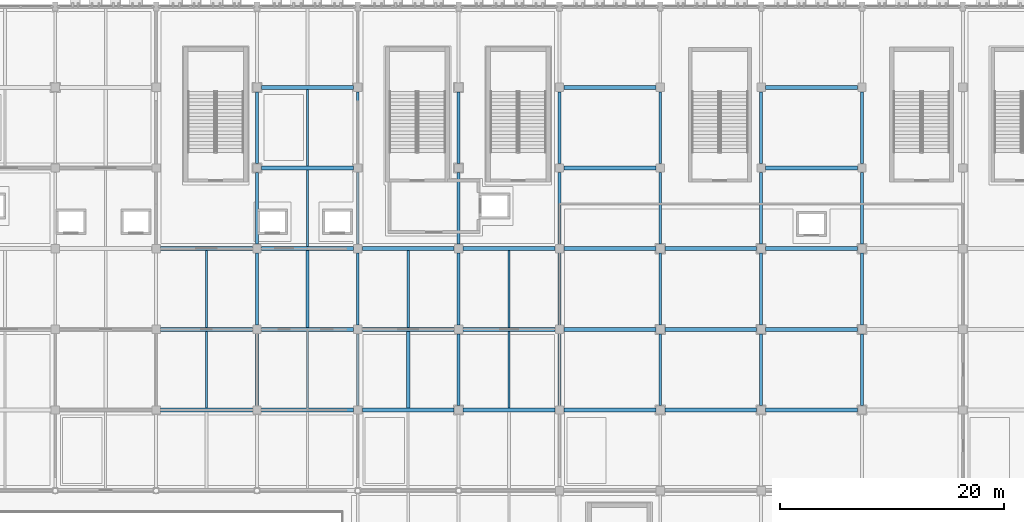
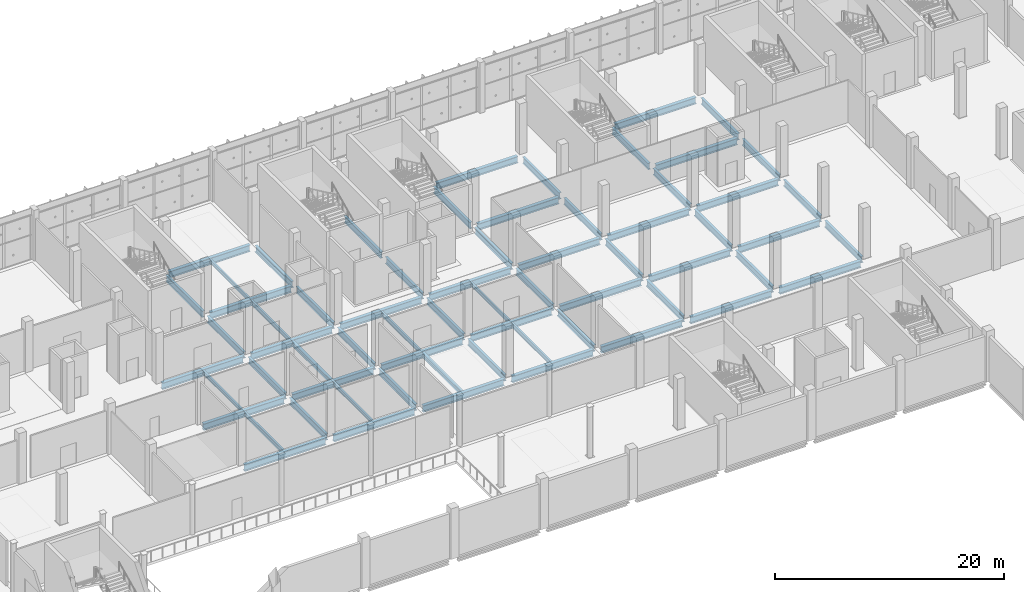
# One storey, part 96 of 189: 65 beams.
"""IFC4 building model written with IfcOpenShell, lengths in metres."""

import ifcopenshell
import ifcopenshell.guid

model = None  # the IFC model being written
_history = None  # IfcOwnerHistory: only IFC2X3 demands one
_inside = {}  # id of a spatial element -> (the spatial element, [elements in it])
_under = {}  # id of a project, library or spatial element -> (it, [spatial elements below it])
_declared = {}  # id of a project -> (the project, [libraries it declares])
_typed = {}  # id of a type object -> (the type object, [elements of that type])
_made_of = {}  # id of a material, layer set ... -> (it, [elements and type objects made of it])


def new_model(schema):
    """Start an empty IFC model of exactly this schema.

    Asked for "IFC4X3", IfcOpenShell would pick the latest addendum, in which some entities
    have other attributes; the version numbers below select the first issue.
    IFC2X3 requires an IfcOwnerHistory on every rooted entity: one is made here for all.
    """
    global model, _history
    if schema == "IFC4X3":
        model = ifcopenshell.file(schema_version=(4, 3, 0, 0))
    else:
        model = ifcopenshell.file(schema=schema)
    _inside.clear()
    _under.clear()
    _declared.clear()
    _typed.clear()
    _made_of.clear()
    _history = None
    if model.schema == "IFC2X3":
        org = make("IfcOrganization", Name="unknown")
        user = make(
            "IfcPersonAndOrganization",
            ThePerson=make("IfcPerson", FamilyName="unknown"),
            TheOrganization=org,
        )
        app = make(
            "IfcApplication",
            ApplicationDeveloper=org,
            Version="unknown",
            ApplicationFullName="unknown",
            ApplicationIdentifier="unknown",
        )
        _history = make(
            "IfcOwnerHistory",
            OwningUser=user,
            OwningApplication=app,
            ChangeAction="ADDED",
            CreationDate=0,
        )
    return model


def make(cls, **values):
    """One entity of the class cls with the attributes given. An attribute that is None is left unset."""
    return model.create_entity(
        cls, **{name: value for name, value in values.items() if value is not None}
    )


def rooted(cls, **values):
    """An entity with a GlobalId (a new one), such as an element, a storey or a relation."""
    return make(cls, GlobalId=ifcopenshell.guid.new(), OwnerHistory=_history, **values)


def si_unit(unit_type, name, prefix=None):
    """IfcSIUnit, for example si_unit("LENGTHUNIT", "METRE", prefix="MILLI")."""
    return make("IfcSIUnit", UnitType=unit_type, Prefix=prefix, Name=name)


def assignment(units):
    """IfcUnitAssignment: the units of a project."""
    return None if units is None else make("IfcUnitAssignment", Units=units)


def point(xyz):
    """IfcCartesianPoint."""
    return None if xyz is None else make("IfcCartesianPoint", Coordinates=xyz)


def direction(xyz):
    """IfcDirection."""
    return None if xyz is None else make("IfcDirection", DirectionRatios=xyz)


def frame(location, z_axis=None, x_axis=None):
    """IfcAxis2Placement3D, a coordinate frame: its origin and axes. An axis left out is left unset."""
    return make(
        "IfcAxis2Placement3D",
        Location=point(location),
        Axis=direction(z_axis),
        RefDirection=direction(x_axis),
    )


def frame_2d(location, x_axis=None):
    """IfcAxis2Placement2D, a coordinate frame in the plane: its origin and x axis."""
    return make(
        "IfcAxis2Placement2D", Location=point(location), RefDirection=direction(x_axis)
    )


def origin():
    """The frame at (0, 0, 0) with its axes left unset."""
    return frame((0.0, 0.0, 0.0))


def origin_2d():
    """The frame at (0, 0) in the plane with its x axis left unset."""
    return frame_2d((0.0, 0.0))


def place(relative_to, where):
    """IfcLocalPlacement: puts the frame where relative to a parent placement (None: the world)."""
    return make(
        "IfcLocalPlacement", PlacementRelTo=relative_to, RelativePlacement=where
    )


def context(
    kind, dimensions, precision=None, world=None, true_north=None, identifier=None
):
    """IfcGeometricRepresentationContext, for example the 3D "Model" context."""
    return make(
        "IfcGeometricRepresentationContext",
        ContextIdentifier=identifier,
        ContextType=kind,
        CoordinateSpaceDimension=dimensions,
        Precision=precision,
        WorldCoordinateSystem=world,
        TrueNorth=true_north,
    )


def subcontext(parent, identifier, kind, view, scale=None):
    """IfcGeometricRepresentationSubContext, for example "Body" below "Model"."""
    return make(
        "IfcGeometricRepresentationSubContext",
        ContextIdentifier=identifier,
        ContextType=kind,
        ParentContext=parent,
        TargetScale=scale,
        TargetView=view,
    )


def project(units=None, contexts=None):
    """IfcProject with its units and contexts."""
    return rooted(
        "IfcProject",
        Name="project",
        RepresentationContexts=contexts,
        UnitsInContext=assignment(units),
    )


def spatial(cls, under=None, at=None, **own):
    """A site, building, storey or space (cls), placed at a placement, below another one or the project."""
    s = rooted(cls, ObjectPlacement=at, **own)
    if under is not None:
        _under.setdefault(under.id(), (under, []))[1].append(s)
    return s


def profile(cls, at=None, kind="AREA", **sizes):
    """A parametric profile (cls). Its sizes go by their IFC names, for example OverallWidth=200.0."""
    return make(cls, ProfileType=kind, Position=at, **sizes)


def i_section(**sizes):
    """IfcIShapeProfileDef."""
    return profile("IfcIShapeProfileDef", **sizes)


def extrude(swept, where, along, depth):
    """IfcExtrudedAreaSolid: the profile swept, set in the frame where, extruded along a direction by depth."""
    return make(
        "IfcExtrudedAreaSolid",
        SweptArea=swept,
        Position=where,
        ExtrudedDirection=direction(along),
        Depth=depth,
    )


def shape(context_of_items, identifier, shape_type, items):
    """IfcShapeRepresentation: the items that make up one representation, for example the "Body"."""
    return make(
        "IfcShapeRepresentation",
        ContextOfItems=context_of_items,
        RepresentationIdentifier=identifier,
        RepresentationType=shape_type,
        Items=items,
    )


def material(Name=None, Category=None):
    """IfcMaterial."""
    return make("IfcMaterial", Name=Name, Category=Category)


def material_profile(
    of_material, cross_section, Name=None, Category=None, Priority=None
):
    """IfcMaterialProfile: a cross section and its material."""
    return make(
        "IfcMaterialProfile",
        Name=Name,
        Material=of_material,
        Profile=cross_section,
        Priority=Priority,
        Category=Category,
    )


def profile_set(profiles, Name=None, composite=None):
    """IfcMaterialProfileSet."""
    return make(
        "IfcMaterialProfileSet",
        Name=Name,
        MaterialProfiles=profiles,
        CompositeProfile=composite,
    )


def made_of(thing, what):
    """Note that an element or type object is made of a material, layer set ...; save() writes the relation."""
    if what is not None:
        _made_of.setdefault(what.id(), (what, []))[1].append(thing)
    return thing


def type_object(cls, material=None, **own):
    """A type object (cls), such as IfcWallType, which elements share."""
    return made_of(rooted(cls, **own), material)


def element(
    cls,
    number,
    at=None,
    inside=None,
    cuts=None,
    type_object=None,
    material=None,
    context=None,
    identifier="Body",
    shape_type=None,
    held_by="IfcProductDefinitionShape",
    body=None,
    shapes=None,
    **own,
):
    """One element of the class cls, such as IfcWall. Its Tag is "e" and its number.

    at: its placement. inside: the storey or other place that contains it. cuts: it is an
    opening in that element (IfcRelVoidsElement). A single representation is given by context,
    identifier, shape_type and body (its items); several are given by shapes. held_by: the class
    of the entity that holds the representations. save() writes the other relations.
    """
    e = rooted(cls, Tag="e%d" % number, ObjectPlacement=at, **own)
    if body is not None:
        shapes = [shape(context, identifier, shape_type, body)]
    if shapes is not None:
        e.Representation = make(held_by, Representations=shapes)
    if inside is not None:
        _inside.setdefault(inside.id(), (inside, []))[1].append(e)
    if cuts is not None:
        rooted(
            "IfcRelVoidsElement", RelatingBuildingElement=cuts, RelatedOpeningElement=e
        )
    if type_object is not None:
        _typed.setdefault(type_object.id(), (type_object, []))[1].append(e)
    return made_of(e, material)


def aggregate(whole, parts):
    """IfcRelAggregates: a whole, such as a stair, and the parts it consists of."""
    return rooted("IfcRelAggregates", RelatingObject=whole, RelatedObjects=parts)


def save(model, path):
    """Write the relations noted so far, then the file.

    IfcRelAggregates (storeys below a building ...), IfcRelContainedInSpatialStructure (elements
    in a storey), IfcRelDefinesByType, IfcRelAssociatesMaterial and IfcRelDeclares: one each for
    every whole, place, type object, material and project.
    """
    for whole, parts in _under.values():
        aggregate(whole, parts)
    for where, things in _inside.values():
        rooted(
            "IfcRelContainedInSpatialStructure",
            RelatedElements=things,
            RelatingStructure=where,
        )
    for kind, things in _typed.values():
        rooted("IfcRelDefinesByType", RelatedObjects=things, RelatingType=kind)
    for what, things in _made_of.values():
        rooted("IfcRelAssociatesMaterial", RelatedObjects=things, RelatingMaterial=what)
    for by, libraries in _declared.values():
        rooted("IfcRelDeclares", RelatingContext=by, RelatedDefinitions=libraries)
    model.write(path)


model = new_model("IFC4")

# Units and contexts
model_context = context("Model", 3, precision=1e-05, world=origin(), true_north=direction((0.0, 1.0)))
body_context = subcontext(model_context, "Body", "Model", "MODEL_VIEW")
ifc_project = project(units=[si_unit("LENGTHUNIT", "METRE"), si_unit("AREAUNIT", "SQUARE_METRE"), si_unit("VOLUMEUNIT", "CUBIC_METRE"), si_unit("PLANEANGLEUNIT", "RADIAN"), si_unit("MASSUNIT", "GRAM", prefix="KILO")], contexts=[model_context])

# Site, building, storey
site_placement = place(None, origin())
site = spatial("IfcSite", under=ifc_project, at=site_placement, CompositionType="ELEMENT")
building_placement = place(site_placement, origin())
building = spatial("IfcBuilding", under=site, at=building_placement, Name="Celestram Park Convention Centre", CompositionType="ELEMENT")
storey_placement = place(building_placement, frame((0.0, 0.0, 5.39990234375)))
storey = spatial("IfcBuildingStorey", under=building, at=storey_placement, Name="L01", CompositionType="ELEMENT", Elevation=5.39990234375)

# Beams
ifc_material = material(Name="Steel ASTM A992 Grade 50", Category="steel")
ifc_material_profile_1 = material_profile(ifc_material, i_section(OverallWidth=0.35595703125, OverallDepth=0.696044921875, WebThickness=0.015380859375, FlangeThickness=0.02490234375, at=origin_2d()), Name="W27X146")
ifc_profile_set_1 = profile_set([ifc_material_profile_1], Name="Steel ASTM A992 Grade 50")
beam_type_1 = type_object("IfcBeamType", Name="STR-BM-W27X146", PredefinedType="BEAM", material=ifc_profile_set_1)
for number, where, z_axis, x_axis, name in (
    (1, (63.39794921875, 129.60009765625, -0.6279296875), (1.0, 0.0, 0.0), (0.0, 1.0, 0.0), "Primary X-girder BG-L01-0111"),
    (2, (63.39794921875, 136.800048828125, -0.6279296875), (1.0, 0.0, 0.0), (0.0, 1.0, 0.0), "Primary X-girder BG-L01-0113"),
    (3, (63.39794921875, 144.0, -0.6279296875), (1.0, 0.0, 0.0), (0.0, 1.0, 0.0), "Primary X-girder BG-L01-0115"),
    (4, (72.39794921875, 129.60009765625, -0.6279296875), (1.0, 0.0, 0.0), (0.0, 1.0, 0.0), "Primary X-girder BG-L01-0130"),
    (5, (72.39794921875, 136.800048828125, -0.6279296875), (1.0, 0.0, 0.0), (0.0, 1.0, 0.0), "Primary X-girder BG-L01-0132"),
    (6, (72.39794921875, 144.0, -0.6279296875), (1.0, 0.0, 0.0), (0.0, 1.0, 0.0), "Primary X-girder BG-L01-0134"),
    (7, (72.39794921875, 151.199951171875, -0.6279296875), (1.0, 0.0, 0.0), (0.0, 1.0, 0.0), "Primary X-girder BG-L01-0136"),
    (8, (72.39794921875, 158.39990234375, -0.6279296875), (1.0, 0.0, 0.0), (0.0, 1.0, 0.0), "Primary X-girder BG-L01-0138"),
    (9, (81.39794921875, 129.60009765625, -0.6279296875), (1.0, 0.0, 0.0), (0.0, 1.0, 0.0), "Primary X-girder BG-L01-0154"),
    (10, (81.39794921875, 136.800048828125, -0.6279296875), (1.0, 0.0, 0.0), (0.0, 1.0, 0.0), "Primary X-girder BG-L01-0156"),
    (11, (81.39794921875, 144.0, -0.6279296875), (1.0, 0.0, 0.0), (0.0, 1.0, 0.0), "Primary X-girder BG-L01-0158"),
    (12, (90.39794921875, 129.60009765625, -0.6279296875), (1.0, 0.0, 0.0), (0.0, 1.0, 0.0), "Primary X-girder BG-L01-0176"),
    (13, (90.39794921875, 136.800048828125, -0.6279296875), (1.0, 0.0, 0.0), (0.0, 1.0, 0.0), "Primary X-girder BG-L01-0178"),
    (14, (90.39794921875, 144.0, -0.6279296875), (1.0, 0.0, 0.0), (0.0, 1.0, 0.0), "Primary X-girder BG-L01-0180"),
    (15, (99.39794921875, 129.60009765625, -0.6279296875), (1.0, 0.0, 0.0), (0.0, 1.0, 0.0), "Primary X-girder BG-L01-0197"),
    (16, (99.39794921875, 136.800048828125, -0.6279296875), (1.0, 0.0, 0.0), (0.0, 1.0, 0.0), "Primary X-girder BG-L01-0199"),
    (17, (99.39794921875, 144.0, -0.6279296875), (1.0, 0.0, 0.0), (0.0, 1.0, 0.0), "Primary X-girder BG-L01-0201"),
    (18, (99.39794921875, 151.199951171875, -0.6279296875), (1.0, 0.0, 0.0), (0.0, 1.0, 0.0), "Primary X-girder BG-L01-0203"),
    (19, (99.39794921875, 158.39990234375, -0.6279296875), (1.0, 0.0, 0.0), (0.0, 1.0, 0.0), "Primary X-girder BG-L01-0205"),
    (20, (108.39794921875, 129.60009765625, -0.6279296875), (1.0, 0.0, 0.0), (0.0, 1.0, 0.0), "Primary X-girder BG-L01-0220"),
    (21, (108.39794921875, 136.800048828125, -0.6279296875), (1.0, 0.0, 0.0), (0.0, 1.0, 0.0), "Primary X-girder BG-L01-0222"),
    (22, (108.39794921875, 144.0, -0.6279296875), (1.0, 0.0, 0.0), (0.0, 1.0, 0.0), "Primary X-girder BG-L01-0224"),
    (23, (117.39794921875, 129.60009765625, -0.6279296875), (1.0, 0.0, 0.0), (0.0, 1.0, 0.0), "Primary X-girder BG-L01-0237"),
    (24, (117.39794921875, 136.800048828125, -0.6279296875), (1.0, 0.0, 0.0), (0.0, 1.0, 0.0), "Primary X-girder BG-L01-0239"),
    (25, (117.39794921875, 144.0, -0.6279296875), (1.0, 0.0, 0.0), (0.0, 1.0, 0.0), "Primary X-girder BG-L01-0241"),
    (26, (117.39794921875, 151.199951171875, -0.6279296875), (1.0, 0.0, 0.0), (0.0, 1.0, 0.0), "Primary X-girder BG-L01-0243"),
    (27, (117.39794921875, 158.39990234375, -0.6279296875), (1.0, 0.0, 0.0), (0.0, 1.0, 0.0), "Primary X-girder BG-L01-0245"),
):
    element("IfcBeam", number, at=place(storey_placement, frame(where, z_axis=z_axis, x_axis=x_axis)), inside=storey, type_object=beam_type_1, Name=name, PredefinedType="BEAM", context=body_context, shape_type="SweptSolid", body=[
        extrude(i_section(OverallWidth=0.35595703125, OverallDepth=0.696044921875, WebThickness=0.015380859375, FlangeThickness=0.02490234375, at=origin_2d()), origin(), (0.0, 0.0, 1.0), 8.2041015625),
    ])
ifc_material_profile_2 = material_profile(ifc_material, i_section(OverallWidth=0.25390625, OverallDepth=0.68310546875, WebThickness=0.012451171875, FlangeThickness=0.01904296875, at=origin_2d()), Name="W27X94")
ifc_profile_set_2 = profile_set([ifc_material_profile_2], Name="Steel ASTM A992 Grade 50")
beam_type_2 = type_object("IfcBeamType", Name="STR-BM-W27X94", PredefinedType="BEAM", material=ifc_profile_set_2)
for number, where, z_axis, x_axis, name in (
    (28, (72.0, 129.998046875, -0.621337890625), (0.0, 1.0, 0.0), (-1.0, 0.0, 0.0), "Primary Y-girder BG-L01-0131"),
    (29, (72.0, 137.197998046875, -0.621337890625), (0.0, 1.0, 0.0), (-1.0, 0.0, 0.0), "Primary Y-girder BG-L01-0133"),
    (30, (72.0, 144.39794921875, -0.621337890625), (0.0, 1.0, 0.0), (-1.0, 0.0, 0.0), "Primary Y-girder BG-L01-0135"),
    (31, (72.0, 151.597900390625, -0.621337890625), (0.0, 1.0, 0.0), (-1.0, 0.0, 0.0), "Primary Y-girder BG-L01-0137"),
    (32, (81.0, 129.998046875, -0.621337890625), (0.0, 1.0, 0.0), (-1.0, 0.0, 0.0), "Primary Y-girder BG-L01-0155"),
    (33, (81.0, 137.197998046875, -0.621337890625), (0.0, 1.0, 0.0), (-1.0, 0.0, 0.0), "Primary Y-girder BG-L01-0157"),
    (34, (81.0, 144.39794921875, -0.621337890625), (0.0, 1.0, 0.0), (-1.0, 0.0, 0.0), "Primary Y-girder BG-L01-0159"),
    (35, (81.0, 151.597900390625, -0.621337890625), (0.0, 1.0, 0.0), (-1.0, 0.0, 0.0), "Primary Y-girder BG-L01-0160"),
    (36, (90.0, 129.998046875, -0.621337890625), (0.0, 1.0, 0.0), (-1.0, 0.0, 0.0), "Primary Y-girder BG-L01-0177"),
    (37, (90.0, 137.197998046875, -0.621337890625), (0.0, 1.0, 0.0), (-1.0, 0.0, 0.0), "Primary Y-girder BG-L01-0179"),
    (38, (90.0, 144.39794921875, -0.621337890625), (0.0, 1.0, 0.0), (-1.0, 0.0, 0.0), "Primary Y-girder BG-L01-0181"),
    (39, (90.0, 151.597900390625, -0.621337890625), (0.0, 1.0, 0.0), (-1.0, 0.0, 0.0), "Primary Y-girder BG-L01-0182"),
    (40, (99.0, 129.998046875, -0.621337890625), (0.0, 1.0, 0.0), (-1.0, 0.0, 0.0), "Primary Y-girder BG-L01-0198"),
    (41, (99.0, 137.197998046875, -0.621337890625), (0.0, 1.0, 0.0), (-1.0, 0.0, 0.0), "Primary Y-girder BG-L01-0200"),
    (42, (99.0, 144.39794921875, -0.621337890625), (0.0, 1.0, 0.0), (-1.0, 0.0, 0.0), "Primary Y-girder BG-L01-0202"),
    (43, (99.0, 151.597900390625, -0.621337890625), (0.0, 1.0, 0.0), (-1.0, 0.0, 0.0), "Primary Y-girder BG-L01-0204"),
    (44, (108.0, 129.998046875, -0.621337890625), (0.0, 1.0, 0.0), (-1.0, 0.0, 0.0), "Primary Y-girder BG-L01-0221"),
    (45, (108.0, 137.197998046875, -0.621337890625), (0.0, 1.0, 0.0), (-1.0, 0.0, 0.0), "Primary Y-girder BG-L01-0223"),
    (46, (108.0, 144.39794921875, -0.621337890625), (0.0, 1.0, 0.0), (-1.0, 0.0, 0.0), "Primary Y-girder BG-L01-0225"),
    (47, (108.0, 151.597900390625, -0.621337890625), (0.0, 1.0, 0.0), (-1.0, 0.0, 0.0), "Primary Y-girder BG-L01-0226"),
    (48, (117.0, 129.998046875, -0.621337890625), (0.0, 1.0, 0.0), (-1.0, 0.0, 0.0), "Primary Y-girder BG-L01-0238"),
    (49, (117.0, 137.197998046875, -0.621337890625), (0.0, 1.0, 0.0), (-1.0, 0.0, 0.0), "Primary Y-girder BG-L01-0240"),
    (50, (117.0, 144.39794921875, -0.621337890625), (0.0, 1.0, 0.0), (-1.0, 0.0, 0.0), "Primary Y-girder BG-L01-0242"),
    (51, (117.0, 151.597900390625, -0.621337890625), (0.0, 1.0, 0.0), (-1.0, 0.0, 0.0), "Primary Y-girder BG-L01-0244"),
    (52, (126.0, 129.998046875, -0.621337890625), (0.0, 1.0, 0.0), (-1.0, 0.0, 0.0), "Primary Y-girder BG-L01-0278"),
    (53, (126.0, 137.197998046875, -0.621337890625), (0.0, 1.0, 0.0), (-1.0, 0.0, 0.0), "Primary Y-girder BG-L01-0280"),
    (54, (126.0, 144.39794921875, -0.621337890625), (0.0, 1.0, 0.0), (-1.0, 0.0, 0.0), "Primary Y-girder BG-L01-0282"),
    (55, (126.0, 151.597900390625, -0.621337890625), (0.0, 1.0, 0.0), (-1.0, 0.0, 0.0), "Primary Y-girder BG-L01-0283"),
):
    element("IfcBeam", number, at=place(storey_placement, frame(where, z_axis=z_axis, x_axis=x_axis)), inside=storey, type_object=beam_type_2, Name=name, PredefinedType="BEAM", context=body_context, shape_type="SweptSolid", body=[
        extrude(i_section(OverallWidth=0.25390625, OverallDepth=0.68310546875, WebThickness=0.012451171875, FlangeThickness=0.01904296875, at=origin_2d()), origin(), (0.0, 0.0, 1.0), 6.404052734375),
    ])
ifc_material_profile_3 = material_profile(ifc_material, i_section(OverallWidth=0.177978515625, OverallDepth=0.406005859375, WebThickness=0.0078125, FlangeThickness=0.0126953125, at=origin_2d()), Name="W16X40")
ifc_profile_set_3 = profile_set([ifc_material_profile_3], Name="Steel ASTM A992 Grade 50")
beam_type_3 = type_object("IfcBeamType", Name="STR-JST-W16X40", PredefinedType="JOIST", material=ifc_profile_set_3)
beam_1_placement = place(storey_placement, frame((67.5, 136.97412109375, -0.48291015625), z_axis=(0.0, 1.0, 0.0), x_axis=(-1.0, 0.0, 0.0)))
element("IfcBeam", 56, at=beam_1_placement, inside=storey, type_object=beam_type_3, Name="Secondary composite joist BG-L01-0587", PredefinedType="JOIST", context=body_context, shape_type="SweptSolid", body=[
    extrude(i_section(OverallWidth=0.177978515625, OverallDepth=0.406005859375, WebThickness=0.0078125, FlangeThickness=0.0126953125, at=origin_2d()), origin(), (0.0, 0.0, 1.0), 6.851806640625),
])
for number, where, z_axis, x_axis, name in (
    (57, (76.5, 129.77392578125, -0.48291015625), (0.0, 1.0, 0.0), (-1.0, 0.0, 0.0), "Secondary composite joist BG-L01-0592"),
    (58, (76.5, 151.3740234375, -0.48291015625), (0.0, 1.0, 0.0), (-1.0, 0.0, 0.0), "Secondary composite joist BG-L01-0595"),
):
    element("IfcBeam", number, at=place(storey_placement, frame(where, z_axis=z_axis, x_axis=x_axis)), inside=storey, type_object=beam_type_3, Name=name, PredefinedType="JOIST", context=body_context, shape_type="SweptSolid", body=[
        extrude(i_section(OverallWidth=0.177978515625, OverallDepth=0.406005859375, WebThickness=0.0078125, FlangeThickness=0.0126953125, at=origin_2d()), origin(), (0.0, 0.0, 1.0), 6.85205078125),
    ])
beam_2_placement = place(storey_placement, frame((94.5, 136.97412109375, -0.48291015625), z_axis=(0.0, 1.0, 0.0), x_axis=(-1.0, 0.0, 0.0)))
element("IfcBeam", 59, at=beam_2_placement, inside=storey, type_object=beam_type_3, Name="Secondary composite joist BG-L01-0612", PredefinedType="JOIST", context=body_context, shape_type="SweptSolid", body=[
    extrude(i_section(OverallWidth=0.177978515625, OverallDepth=0.406005859375, WebThickness=0.0078125, FlangeThickness=0.0126953125, at=origin_2d()), origin(), (0.0, 0.0, 1.0), 6.851806640625),
])
ifc_material_profile_4 = material_profile(ifc_material, i_section(OverallWidth=0.19091796875, OverallDepth=0.45703125, WebThickness=0.009033203125, FlangeThickness=0.014404296875, at=origin_2d()), Name="W18X50")
ifc_profile_set_4 = profile_set([ifc_material_profile_4], Name="Steel ASTM A992 Grade 50")
beam_type_4 = type_object("IfcBeamType", Name="STR-JST-W18X50", PredefinedType="JOIST", material=ifc_profile_set_4)
beam_3_placement = place(storey_placement, frame((67.5, 129.77392578125, -0.50830078125), z_axis=(0.0, 1.0, 0.0), x_axis=(-1.0, 0.0, 0.0)))
element("IfcBeam", 60, at=beam_3_placement, inside=storey, type_object=beam_type_4, Name="Secondary composite joist BG-L01-0586", PredefinedType="JOIST", context=body_context, shape_type="SweptSolid", body=[
    extrude(i_section(OverallWidth=0.19091796875, OverallDepth=0.45703125, WebThickness=0.009033203125, FlangeThickness=0.014404296875, at=origin_2d()), origin(), (0.0, 0.0, 1.0), 6.85205078125),
])
for number, where, z_axis, x_axis, name in (
    (61, (76.5, 144.174072265625, -0.50830078125), (0.0, 1.0, 0.0), (-1.0, 0.0, 0.0), "Secondary composite joist BG-L01-0594"),
    (62, (85.5, 136.97412109375, -0.50830078125), (0.0, 1.0, 0.0), (-1.0, 0.0, 0.0), "Secondary composite joist BG-L01-0604"),
):
    element("IfcBeam", number, at=place(storey_placement, frame(where, z_axis=z_axis, x_axis=x_axis)), inside=storey, type_object=beam_type_4, Name=name, PredefinedType="JOIST", context=body_context, shape_type="SweptSolid", body=[
        extrude(i_section(OverallWidth=0.19091796875, OverallDepth=0.45703125, WebThickness=0.009033203125, FlangeThickness=0.014404296875, at=origin_2d()), origin(), (0.0, 0.0, 1.0), 6.851806640625),
    ])
beam_4_placement = place(storey_placement, frame((94.5, 129.77392578125, -0.50830078125), z_axis=(0.0, 1.0, 0.0), x_axis=(-1.0, 0.0, 0.0)))
element("IfcBeam", 63, at=beam_4_placement, inside=storey, type_object=beam_type_4, Name="Secondary composite joist BG-L01-0611", PredefinedType="JOIST", context=body_context, shape_type="SweptSolid", body=[
    extrude(i_section(OverallWidth=0.19091796875, OverallDepth=0.45703125, WebThickness=0.009033203125, FlangeThickness=0.014404296875, at=origin_2d()), origin(), (0.0, 0.0, 1.0), 6.85205078125),
])
ifc_material_profile_5 = material_profile(ifc_material, i_section(OverallWidth=0.281982421875, OverallDepth=0.467041015625, WebThickness=0.01220703125, FlangeThickness=0.01953125, at=origin_2d()), Name="W18X86")
ifc_profile_set_5 = profile_set([ifc_material_profile_5], Name="Steel ASTM A992 Grade 50")
beam_type_5 = type_object("IfcBeamType", Name="STR-JST-W18X86", PredefinedType="JOIST", material=ifc_profile_set_5)
beam_5_placement = place(storey_placement, frame((76.5, 136.97412109375, -0.513427734375), z_axis=(0.0, 1.0, 0.0), x_axis=(-1.0, 0.0, 0.0)))
element("IfcBeam", 64, at=beam_5_placement, inside=storey, type_object=beam_type_5, Name="Secondary composite joist BG-L01-0593", PredefinedType="JOIST", context=body_context, shape_type="SweptSolid", body=[
    extrude(i_section(OverallWidth=0.281982421875, OverallDepth=0.467041015625, WebThickness=0.01220703125, FlangeThickness=0.01953125, at=origin_2d()), origin(), (0.0, 0.0, 1.0), 6.851806640625),
])
beam_6_placement = place(storey_placement, frame((85.5, 129.77392578125, -0.513427734375), z_axis=(0.0, 1.0, 0.0), x_axis=(-1.0, 0.0, 0.0)))
element("IfcBeam", 65, at=beam_6_placement, inside=storey, type_object=beam_type_5, Name="Secondary composite joist BG-L01-0603", PredefinedType="JOIST", context=body_context, shape_type="SweptSolid", body=[
    extrude(i_section(OverallWidth=0.281982421875, OverallDepth=0.467041015625, WebThickness=0.01220703125, FlangeThickness=0.01953125, at=origin_2d()), origin(), (0.0, 0.0, 1.0), 6.85205078125),
])

save(model, "model.ifc")
